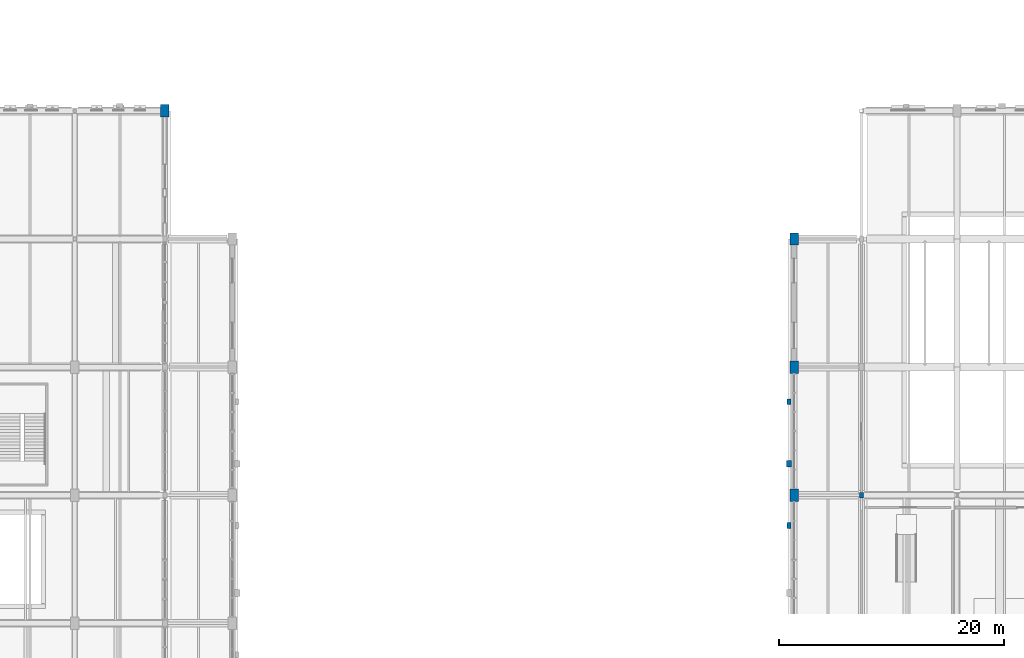
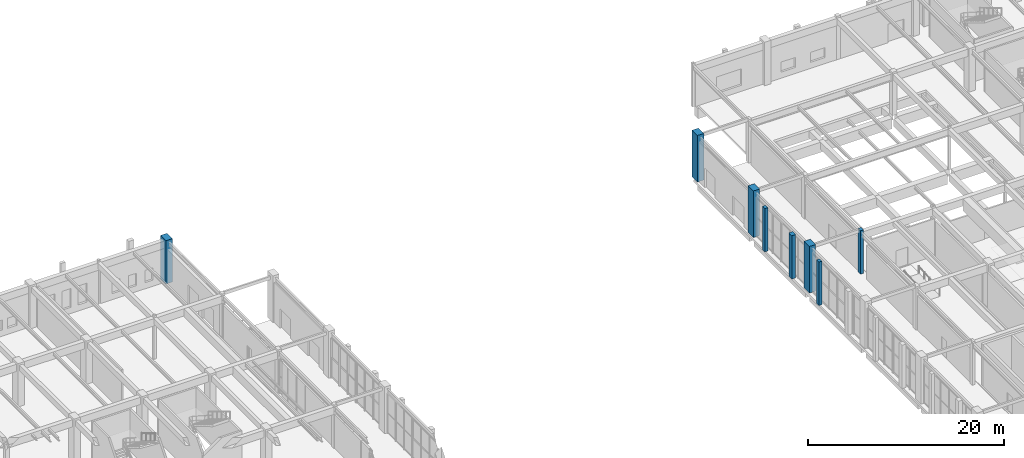
# One storey, part 14 of 113: 8 columns.
"""IFC4 building model written with IfcOpenShell, lengths in metres."""

import ifcopenshell
import ifcopenshell.guid

model = None  # the IFC model being written
_history = None  # IfcOwnerHistory: only IFC2X3 demands one
_inside = {}  # id of a spatial element -> (the spatial element, [elements in it])
_under = {}  # id of a project, library or spatial element -> (it, [spatial elements below it])
_declared = {}  # id of a project -> (the project, [libraries it declares])
_typed = {}  # id of a type object -> (the type object, [elements of that type])
_made_of = {}  # id of a material, layer set ... -> (it, [elements and type objects made of it])


def new_model(schema):
    """Start an empty IFC model of exactly this schema.

    Asked for "IFC4X3", IfcOpenShell would pick the latest addendum, in which some entities
    have other attributes; the version numbers below select the first issue.
    IFC2X3 requires an IfcOwnerHistory on every rooted entity: one is made here for all.
    """
    global model, _history
    if schema == "IFC4X3":
        model = ifcopenshell.file(schema_version=(4, 3, 0, 0))
    else:
        model = ifcopenshell.file(schema=schema)
    _inside.clear()
    _under.clear()
    _declared.clear()
    _typed.clear()
    _made_of.clear()
    _history = None
    if model.schema == "IFC2X3":
        org = make("IfcOrganization", Name="unknown")
        user = make(
            "IfcPersonAndOrganization",
            ThePerson=make("IfcPerson", FamilyName="unknown"),
            TheOrganization=org,
        )
        app = make(
            "IfcApplication",
            ApplicationDeveloper=org,
            Version="unknown",
            ApplicationFullName="unknown",
            ApplicationIdentifier="unknown",
        )
        _history = make(
            "IfcOwnerHistory",
            OwningUser=user,
            OwningApplication=app,
            ChangeAction="ADDED",
            CreationDate=0,
        )
    return model


def make(cls, **values):
    """One entity of the class cls with the attributes given. An attribute that is None is left unset."""
    return model.create_entity(
        cls, **{name: value for name, value in values.items() if value is not None}
    )


def rooted(cls, **values):
    """An entity with a GlobalId (a new one), such as an element, a storey or a relation."""
    return make(cls, GlobalId=ifcopenshell.guid.new(), OwnerHistory=_history, **values)


def si_unit(unit_type, name, prefix=None):
    """IfcSIUnit, for example si_unit("LENGTHUNIT", "METRE", prefix="MILLI")."""
    return make("IfcSIUnit", UnitType=unit_type, Prefix=prefix, Name=name)


def assignment(units):
    """IfcUnitAssignment: the units of a project."""
    return None if units is None else make("IfcUnitAssignment", Units=units)


def point(xyz):
    """IfcCartesianPoint."""
    return None if xyz is None else make("IfcCartesianPoint", Coordinates=xyz)


def direction(xyz):
    """IfcDirection."""
    return None if xyz is None else make("IfcDirection", DirectionRatios=xyz)


def frame(location, z_axis=None, x_axis=None):
    """IfcAxis2Placement3D, a coordinate frame: its origin and axes. An axis left out is left unset."""
    return make(
        "IfcAxis2Placement3D",
        Location=point(location),
        Axis=direction(z_axis),
        RefDirection=direction(x_axis),
    )


def frame_2d(location, x_axis=None):
    """IfcAxis2Placement2D, a coordinate frame in the plane: its origin and x axis."""
    return make(
        "IfcAxis2Placement2D", Location=point(location), RefDirection=direction(x_axis)
    )


def origin():
    """The frame at (0, 0, 0) with its axes left unset."""
    return frame((0.0, 0.0, 0.0))


def origin_2d():
    """The frame at (0, 0) in the plane with its x axis left unset."""
    return frame_2d((0.0, 0.0))


def place(relative_to, where):
    """IfcLocalPlacement: puts the frame where relative to a parent placement (None: the world)."""
    return make(
        "IfcLocalPlacement", PlacementRelTo=relative_to, RelativePlacement=where
    )


def context(
    kind, dimensions, precision=None, world=None, true_north=None, identifier=None
):
    """IfcGeometricRepresentationContext, for example the 3D "Model" context."""
    return make(
        "IfcGeometricRepresentationContext",
        ContextIdentifier=identifier,
        ContextType=kind,
        CoordinateSpaceDimension=dimensions,
        Precision=precision,
        WorldCoordinateSystem=world,
        TrueNorth=true_north,
    )


def subcontext(parent, identifier, kind, view, scale=None):
    """IfcGeometricRepresentationSubContext, for example "Body" below "Model"."""
    return make(
        "IfcGeometricRepresentationSubContext",
        ContextIdentifier=identifier,
        ContextType=kind,
        ParentContext=parent,
        TargetScale=scale,
        TargetView=view,
    )


def project(units=None, contexts=None):
    """IfcProject with its units and contexts."""
    return rooted(
        "IfcProject",
        Name="project",
        RepresentationContexts=contexts,
        UnitsInContext=assignment(units),
    )


def spatial(cls, under=None, at=None, **own):
    """A site, building, storey or space (cls), placed at a placement, below another one or the project."""
    s = rooted(cls, ObjectPlacement=at, **own)
    if under is not None:
        _under.setdefault(under.id(), (under, []))[1].append(s)
    return s


def profile(cls, at=None, kind="AREA", **sizes):
    """A parametric profile (cls). Its sizes go by their IFC names, for example OverallWidth=200.0."""
    return make(cls, ProfileType=kind, Position=at, **sizes)


def rectangle(**sizes):
    """IfcRectangleProfileDef."""
    return profile("IfcRectangleProfileDef", **sizes)


def extrude(swept, where, along, depth):
    """IfcExtrudedAreaSolid: the profile swept, set in the frame where, extruded along a direction by depth."""
    return make(
        "IfcExtrudedAreaSolid",
        SweptArea=swept,
        Position=where,
        ExtrudedDirection=direction(along),
        Depth=depth,
    )


def shape(context_of_items, identifier, shape_type, items):
    """IfcShapeRepresentation: the items that make up one representation, for example the "Body"."""
    return make(
        "IfcShapeRepresentation",
        ContextOfItems=context_of_items,
        RepresentationIdentifier=identifier,
        RepresentationType=shape_type,
        Items=items,
    )


def material(Name=None, Category=None):
    """IfcMaterial."""
    return make("IfcMaterial", Name=Name, Category=Category)


def material_profile(
    of_material, cross_section, Name=None, Category=None, Priority=None
):
    """IfcMaterialProfile: a cross section and its material."""
    return make(
        "IfcMaterialProfile",
        Name=Name,
        Material=of_material,
        Profile=cross_section,
        Priority=Priority,
        Category=Category,
    )


def profile_set(profiles, Name=None, composite=None):
    """IfcMaterialProfileSet."""
    return make(
        "IfcMaterialProfileSet",
        Name=Name,
        MaterialProfiles=profiles,
        CompositeProfile=composite,
    )


def made_of(thing, what):
    """Note that an element or type object is made of a material, layer set ...; save() writes the relation."""
    if what is not None:
        _made_of.setdefault(what.id(), (what, []))[1].append(thing)
    return thing


def type_object(cls, material=None, **own):
    """A type object (cls), such as IfcWallType, which elements share."""
    return made_of(rooted(cls, **own), material)


def element(
    cls,
    number,
    at=None,
    inside=None,
    cuts=None,
    type_object=None,
    material=None,
    context=None,
    identifier="Body",
    shape_type=None,
    held_by="IfcProductDefinitionShape",
    body=None,
    shapes=None,
    **own,
):
    """One element of the class cls, such as IfcWall. Its Tag is "e" and its number.

    at: its placement. inside: the storey or other place that contains it. cuts: it is an
    opening in that element (IfcRelVoidsElement). A single representation is given by context,
    identifier, shape_type and body (its items); several are given by shapes. held_by: the class
    of the entity that holds the representations. save() writes the other relations.
    """
    e = rooted(cls, Tag="e%d" % number, ObjectPlacement=at, **own)
    if body is not None:
        shapes = [shape(context, identifier, shape_type, body)]
    if shapes is not None:
        e.Representation = make(held_by, Representations=shapes)
    if inside is not None:
        _inside.setdefault(inside.id(), (inside, []))[1].append(e)
    if cuts is not None:
        rooted(
            "IfcRelVoidsElement", RelatingBuildingElement=cuts, RelatedOpeningElement=e
        )
    if type_object is not None:
        _typed.setdefault(type_object.id(), (type_object, []))[1].append(e)
    return made_of(e, material)


def aggregate(whole, parts):
    """IfcRelAggregates: a whole, such as a stair, and the parts it consists of."""
    return rooted("IfcRelAggregates", RelatingObject=whole, RelatedObjects=parts)


def save(model, path):
    """Write the relations noted so far, then the file.

    IfcRelAggregates (storeys below a building ...), IfcRelContainedInSpatialStructure (elements
    in a storey), IfcRelDefinesByType, IfcRelAssociatesMaterial and IfcRelDeclares: one each for
    every whole, place, type object, material and project.
    """
    for whole, parts in _under.values():
        aggregate(whole, parts)
    for where, things in _inside.values():
        rooted(
            "IfcRelContainedInSpatialStructure",
            RelatedElements=things,
            RelatingStructure=where,
        )
    for kind, things in _typed.values():
        rooted("IfcRelDefinesByType", RelatedObjects=things, RelatingType=kind)
    for what, things in _made_of.values():
        rooted("IfcRelAssociatesMaterial", RelatedObjects=things, RelatingMaterial=what)
    for by, libraries in _declared.values():
        rooted("IfcRelDeclares", RelatingContext=by, RelatedDefinitions=libraries)
    model.write(path)


model = new_model("IFC4")

# Units and contexts
model_context = context("Model", 3, precision=1e-05, world=origin(), true_north=direction((0.0, 1.0)))
body_context = subcontext(model_context, "Body", "Model", "MODEL_VIEW")
ifc_project = project(units=[si_unit("LENGTHUNIT", "METRE"), si_unit("AREAUNIT", "SQUARE_METRE"), si_unit("VOLUMEUNIT", "CUBIC_METRE"), si_unit("PLANEANGLEUNIT", "RADIAN"), si_unit("MASSUNIT", "GRAM", prefix="KILO"), si_unit("POWERUNIT", "WATT"), si_unit("THERMODYNAMICTEMPERATUREUNIT", "KELVIN")], contexts=[model_context])

# Site, building, storey
site_placement = place(None, origin())
site = spatial("IfcSite", under=ifc_project, at=site_placement, CompositionType="ELEMENT")
building_placement = place(site_placement, origin())
building = spatial("IfcBuilding", under=site, at=building_placement, Name="Kelmbourne Parkland Aquatics Centre", CompositionType="ELEMENT")
storey_placement = place(building_placement, origin())
storey = spatial("IfcBuildingStorey", under=building, at=storey_placement, Name="L00", CompositionType="ELEMENT", Elevation=0.0)

# Columns
ifc_material_1 = material(Name="Concrete C40/50", Category="concrete")
ifc_material_profile_1 = material_profile(ifc_material_1, rectangle(XDim=0.75, YDim=1.10009765625, at=origin_2d()), Name="RC 750x1100")
ifc_profile_set_1 = profile_set([ifc_material_profile_1], Name="Concrete C40/50")
column_type_1 = type_object("IfcColumnType", Name="COL-C03", PredefinedType="COLUMN", material=ifc_profile_set_1)
column_1_placement = place(storey_placement, frame((40.0, 103.39990234375, 0.0), z_axis=(0.0, 0.0, 1.0), x_axis=(1.0, 0.0, 0.0)))
element("IfcColumn", 1, at=column_1_placement, inside=storey, type_object=column_type_1, Name="Structural column F-13 (L00)", PredefinedType="COLUMN", context=body_context, shape_type="SweptSolid", body=[
    extrude(rectangle(XDim=0.75, YDim=1.10009765625, at=origin_2d()), origin(), (0.0, 0.0, 1.0), 5.39990234375),
])
for number, where, z_axis, x_axis, name in (
    (2, (96.0, 69.199951171875, 0.0), (0.0, 0.0, 1.0), (1.0, 0.0, 0.0), "Structural column L-10 (L00)"),
    (3, (96.0, 80.60009765625, 0.0), (0.0, 0.0, 1.0), (1.0, 0.0, 0.0), "Structural column L-11 (L00)"),
    (4, (96.0, 92.0, 0.0), (0.0, 0.0, 1.0), (1.0, 0.0, 0.0), "Structural column L-12 (L00)"),
):
    element("IfcColumn", number, at=place(storey_placement, frame(where, z_axis=z_axis, x_axis=x_axis)), inside=storey, type_object=column_type_1, Name=name, PredefinedType="COLUMN", context=body_context, shape_type="SweptSolid", body=[
        extrude(rectangle(XDim=0.75, YDim=1.10009765625, at=origin_2d()), origin(), (0.0, 0.0, 1.0), 5.800048828125),
    ])
ifc_material_2 = material(Name="Clay brick masonry AS 3700 M12", Category="masonry")
ifc_material_profile_2 = material_profile(ifc_material_2, rectangle(XDim=0.35009765625, YDim=0.5, at=origin_2d()), Name="PIL 350x500")
ifc_profile_set_2 = profile_set([ifc_material_profile_2], Name="Clay brick masonry AS 3700 M12")
column_type_2 = type_object("IfcColumnType", Name="PIL-PL1", PredefinedType="PILASTER", material=ifc_profile_set_2)
for number, where, z_axis, x_axis, name in (
    (5, (102.0, 69.199951171875, 0.0), (0.0, 0.0, 1.0), (1.0, 0.0, 0.0), "Engaged brick pilaster M-10 (L00)"),
    (6, (95.550048828125, 66.5, 0.0), (0.0, 0.0, 1.0), (1.0, 0.0, 0.0), "Amsterdam School engaged brick buttress CE-047 (L00)"),
    (7, (95.550048828125, 77.5, 0.0), (0.0, 0.0, 1.0), (1.0, 0.0, 0.0), "Amsterdam School engaged brick buttress CE-049 (L00)"),
):
    element("IfcColumn", number, at=place(storey_placement, frame(where, z_axis=z_axis, x_axis=x_axis)), inside=storey, type_object=column_type_2, Name=name, PredefinedType="PILASTER", context=body_context, shape_type="SweptSolid", body=[
        extrude(rectangle(XDim=0.35009765625, YDim=0.5, at=origin_2d()), origin(), (0.0, 0.0, 1.0), 5.39990234375),
    ])
ifc_material_profile_3 = material_profile(ifc_material_2, rectangle(XDim=0.449951171875, YDim=0.60009765625, at=origin_2d()), Name="PIL 450x600")
ifc_profile_set_3 = profile_set([ifc_material_profile_3], Name="Clay brick masonry AS 3700 M12")
column_type_3 = type_object("IfcColumnType", Name="PIL-PL2", PredefinedType="PILASTER", material=ifc_profile_set_3)
column_2_placement = place(storey_placement, frame((95.550048828125, 72.0, 0.0), z_axis=(0.0, 0.0, 1.0), x_axis=(1.0, 0.0, 0.0)))
element("IfcColumn", 8, at=column_2_placement, inside=storey, type_object=column_type_3, Name="Amsterdam School engaged brick buttress CE-048 (L00)", PredefinedType="PILASTER", context=body_context, shape_type="SweptSolid", body=[
    extrude(rectangle(XDim=0.449951171875, YDim=0.60009765625, at=origin_2d()), origin(), (0.0, 0.0, 1.0), 5.39990234375),
])

save(model, "model.ifc")
